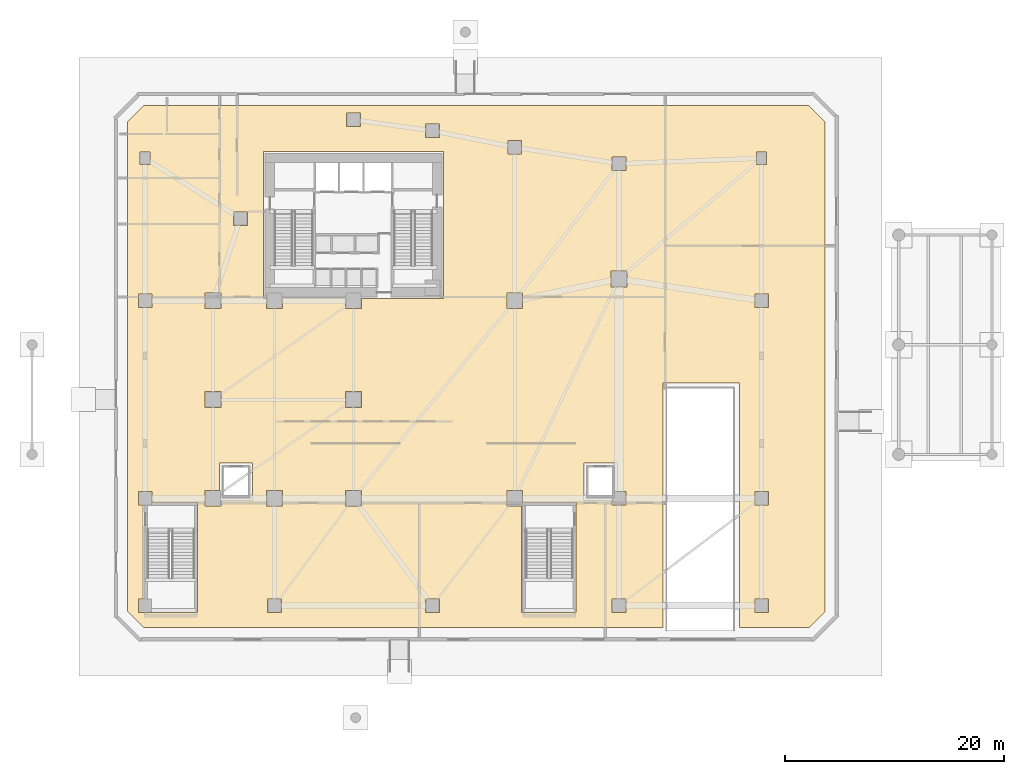
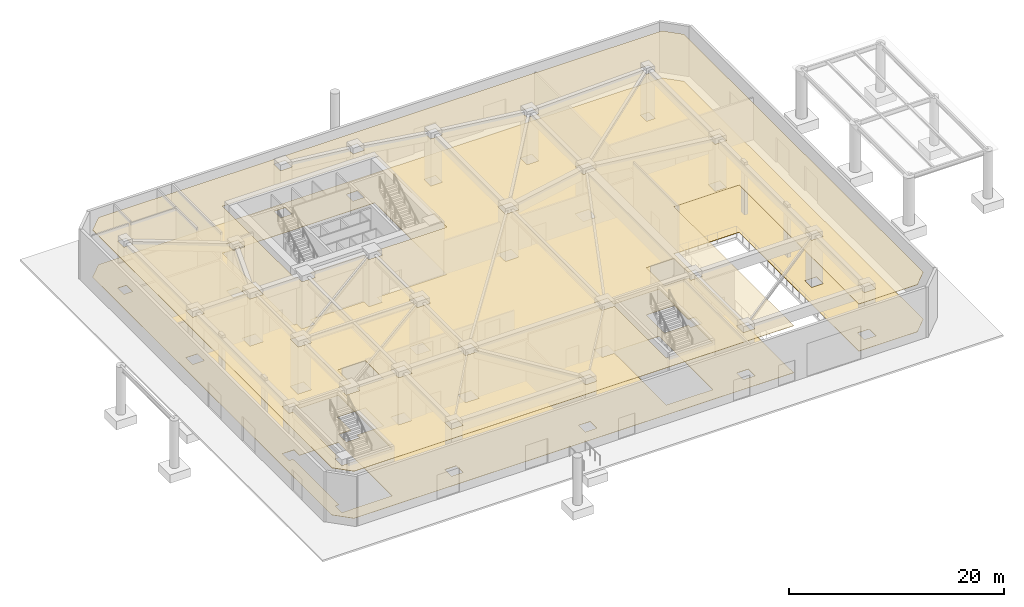
# One storey, part 10 of 13: 2 coverings.
"""IFC4 building model written with IfcOpenShell, lengths in metres."""

from ifc_helpers import new_model, si_unit, direction, frame, origin, place, context, subcontext, project, spatial, polyline, outline, extrude, material, layer, layer_set, type_object, element, save


model = new_model("IFC4")

# Units and contexts
model_context = context("Model", 3, precision=1e-05, world=origin(), true_north=direction((0.0, 1.0)))
body_context = subcontext(model_context, "Body", "Model", "MODEL_VIEW")
ifc_project = project(units=[si_unit("LENGTHUNIT", "METRE"), si_unit("AREAUNIT", "SQUARE_METRE"), si_unit("VOLUMEUNIT", "CUBIC_METRE"), si_unit("PLANEANGLEUNIT", "RADIAN"), si_unit("MASSUNIT", "GRAM", prefix="KILO")], contexts=[model_context])

# Site, building, storey
site_placement = place(None, origin())
site = spatial("IfcSite", under=ifc_project, at=site_placement, CompositionType="ELEMENT")
building_placement = place(site_placement, origin())
building = spatial("IfcBuilding", under=site, at=building_placement, Name="Calvemar Wedge Station Tower", CompositionType="ELEMENT")
storey_placement = place(building_placement, origin())
storey = spatial("IfcBuildingStorey", under=building, at=storey_placement, Name="L01", CompositionType="ELEMENT", Elevation=0.0)

# Coverings
ifc_material_1 = material(Name="Acoustic mineral fibre ceiling board")
ifc_layer_1 = layer(ifc_material_1, 0.0400390625)
ifc_layer_set_1 = layer_set([ifc_layer_1], Name="Acoustic mineral fibre ceiling board")
covering_type_1 = type_object("IfcCoveringType", Name="COV-CEIL-ACOUSTIC", PredefinedType="CEILING", material=ifc_layer_set_1)
covering_1_placement = place(storey_placement, frame((0.0, 0.0, 5.35009765625)))
element("IfcCovering", 1, at=covering_1_placement, inside=storey, type_object=covering_type_1, Name="Storey L01 Acoustic Suspended Ceiling", PredefinedType="CEILING", context=body_context, shape_type="SweptSolid", body=[
    extrude(outline(polyline([(65.302978515625, 50.800048828125), (4.697021484375, 50.800048828125), (3.199951171875, 49.302978515625), (3.199951171875, 4.697021484375), (4.697021484375, 3.199951171875), (52.0, 3.199951171875), (52.0, 25.5), (59.0, 25.5), (59.0, 3.199951171875), (65.302978515625, 3.199951171875), (66.800048828125, 4.697021484375), (66.800048828125, 49.302978515625), (65.302978515625, 50.800048828125)]), holes=[polyline([(15.60009765625, 46.60009765625), (32.0, 46.60009765625), (32.0, 33.199951171875), (24.52001953125, 33.199951171875), (24.52001953125, 32.280029296875), (23.080078125, 32.280029296875), (23.080078125, 33.199951171875), (17.320068359375, 33.199951171875), (17.320068359375, 32.280029296875), (15.8798828125, 32.280029296875), (15.8798828125, 33.199951171875), (15.60009765625, 33.199951171875), (15.60009765625, 46.60009765625)]), polyline([(4.60009765625, 14.3798828125), (4.179931640625, 14.3798828125), (4.179931640625, 15.6201171875), (5.419921875, 15.6201171875), (5.419921875, 14.60009765625), (9.60009765625, 14.60009765625), (9.60009765625, 4.60009765625), (5.419921875, 4.60009765625), (5.419921875, 4.580078125), (4.179931640625, 4.580078125), (4.179931640625, 5.820068359375), (4.60009765625, 5.820068359375), (4.60009765625, 14.3798828125)]), polyline([(39.219970703125, 14.60009765625), (44.10009765625, 14.60009765625), (44.10009765625, 4.60009765625), (39.10009765625, 4.60009765625), (39.10009765625, 14.280029296875), (37.780029296875, 14.280029296875), (37.780029296875, 15.719970703125), (39.219970703125, 15.719970703125), (39.219970703125, 14.60009765625)]), polyline([(11.719970703125, 14.280029296875), (10.280029296875, 14.280029296875), (10.280029296875, 15.719970703125), (11.60009765625, 15.719970703125), (11.60009765625, 18.199951171875), (14.60009765625, 18.199951171875), (14.60009765625, 14.800048828125), (11.719970703125, 14.800048828125), (11.719970703125, 14.280029296875)]), polyline([(44.800048828125, 14.800048828125), (44.800048828125, 18.199951171875), (47.800048828125, 18.199951171875), (47.800048828125, 15.6201171875), (48.6201171875, 15.6201171875), (48.6201171875, 14.3798828125), (47.3798828125, 14.3798828125), (47.3798828125, 14.800048828125), (44.800048828125, 14.800048828125)]), polyline([(15.97998046875, 5.820068359375), (17.219970703125, 5.820068359375), (17.219970703125, 4.580078125), (15.97998046875, 4.580078125), (15.97998046875, 5.820068359375)]), polyline([(31.6201171875, 5.820068359375), (31.6201171875, 4.580078125), (30.3798828125, 4.580078125), (30.3798828125, 5.820068359375), (31.6201171875, 5.820068359375)]), polyline([(48.6201171875, 4.580078125), (47.3798828125, 4.580078125), (47.3798828125, 5.820068359375), (48.6201171875, 5.820068359375), (48.6201171875, 4.580078125)]), polyline([(60.3798828125, 4.580078125), (60.3798828125, 5.820068359375), (61.6201171875, 5.820068359375), (61.6201171875, 4.580078125), (60.3798828125, 4.580078125)]), polyline([(17.320068359375, 14.280029296875), (15.8798828125, 14.280029296875), (15.8798828125, 15.719970703125), (17.320068359375, 15.719970703125), (17.320068359375, 14.280029296875)]), polyline([(23.080078125, 14.280029296875), (23.080078125, 15.719970703125), (24.52001953125, 15.719970703125), (24.52001953125, 14.280029296875), (23.080078125, 14.280029296875)]), polyline([(61.6201171875, 14.3798828125), (60.3798828125, 14.3798828125), (60.3798828125, 15.6201171875), (61.6201171875, 15.6201171875), (61.6201171875, 14.3798828125)]), polyline([(10.280029296875, 23.280029296875), (10.280029296875, 24.719970703125), (11.719970703125, 24.719970703125), (11.719970703125, 23.280029296875), (10.280029296875, 23.280029296875)]), polyline([(23.080078125, 24.719970703125), (24.52001953125, 24.719970703125), (24.52001953125, 23.280029296875), (23.080078125, 23.280029296875), (23.080078125, 24.719970703125)]), polyline([(5.419921875, 33.6201171875), (5.419921875, 32.3798828125), (4.179931640625, 32.3798828125), (4.179931640625, 33.6201171875), (5.419921875, 33.6201171875)]), polyline([(11.719970703125, 32.280029296875), (10.280029296875, 32.280029296875), (10.280029296875, 33.719970703125), (11.719970703125, 33.719970703125), (11.719970703125, 32.280029296875)]), polyline([(39.219970703125, 33.719970703125), (39.219970703125, 32.280029296875), (37.780029296875, 32.280029296875), (37.780029296875, 33.719970703125), (39.219970703125, 33.719970703125)]), polyline([(48.719970703125, 34.280029296875), (47.280029296875, 34.280029296875), (47.280029296875, 35.719970703125), (48.719970703125, 35.719970703125), (48.719970703125, 34.280029296875)]), polyline([(60.3798828125, 32.3798828125), (60.3798828125, 33.6201171875), (61.6201171875, 33.6201171875), (61.6201171875, 32.3798828125), (60.3798828125, 32.3798828125)]), polyline([(4.330078125, 46.570068359375), (5.27001953125, 46.570068359375), (5.27001953125, 45.429931640625), (4.330078125, 45.429931640625), (4.330078125, 46.570068359375)]), polyline([(14.1201171875, 41.1201171875), (14.1201171875, 39.8798828125), (12.8798828125, 39.8798828125), (12.8798828125, 41.1201171875), (14.1201171875, 41.1201171875)]), polyline([(24.419921875, 48.8798828125), (23.179931640625, 48.8798828125), (23.179931640625, 50.1201171875), (24.419921875, 50.1201171875), (24.419921875, 48.8798828125)]), polyline([(30.3798828125, 47.8798828125), (30.3798828125, 49.1201171875), (31.6201171875, 49.1201171875), (31.6201171875, 47.8798828125), (30.3798828125, 47.8798828125)]), polyline([(37.8798828125, 47.6201171875), (39.1201171875, 47.6201171875), (39.1201171875, 46.3798828125), (37.8798828125, 46.3798828125), (37.8798828125, 47.6201171875)]), polyline([(48.6201171875, 46.1201171875), (48.6201171875, 44.8798828125), (47.3798828125, 44.8798828125), (47.3798828125, 46.1201171875), (48.6201171875, 46.1201171875)]), polyline([(61.469970703125, 45.429931640625), (60.530029296875, 45.429931640625), (60.530029296875, 46.570068359375), (61.469970703125, 46.570068359375), (61.469970703125, 45.429931640625)])]), origin(), (0.0, 0.0, 1.0), 0.039794921875),
])
ifc_material_2 = material(Name="Commercial raised access floor")
ifc_layer_2 = layer(ifc_material_2, 0.030029296875)
ifc_layer_set_2 = layer_set([ifc_layer_2], Name="Commercial raised access floor")
covering_type_2 = type_object("IfcCoveringType", Name="COV-FLR-RAISED", PredefinedType="FLOORING", material=ifc_layer_set_2)
covering_2_placement = place(storey_placement, origin())
element("IfcCovering", 2, at=covering_2_placement, inside=storey, type_object=covering_type_2, Name="Storey L01 Architectural Floor Finish", PredefinedType="FLOORING", context=body_context, shape_type="SweptSolid", body=[
    extrude(outline(polyline([(65.302978515625, 50.800048828125), (4.697021484375, 50.800048828125), (3.199951171875, 49.302978515625), (3.199951171875, 4.697021484375), (4.697021484375, 3.199951171875), (52.0, 3.199951171875), (52.0, 25.5), (59.0, 25.5), (59.0, 3.199951171875), (65.302978515625, 3.199951171875), (66.800048828125, 4.697021484375), (66.800048828125, 49.302978515625), (65.302978515625, 50.800048828125)]), holes=[polyline([(15.60009765625, 46.60009765625), (32.0, 46.60009765625), (32.0, 33.199951171875), (24.52001953125, 33.199951171875), (24.52001953125, 32.280029296875), (23.080078125, 32.280029296875), (23.080078125, 33.199951171875), (17.320068359375, 33.199951171875), (17.320068359375, 32.280029296875), (15.8798828125, 32.280029296875), (15.8798828125, 33.199951171875), (15.60009765625, 33.199951171875), (15.60009765625, 46.60009765625)]), polyline([(4.60009765625, 14.3798828125), (4.179931640625, 14.3798828125), (4.179931640625, 15.6201171875), (5.419921875, 15.6201171875), (5.419921875, 14.60009765625), (9.60009765625, 14.60009765625), (9.60009765625, 4.60009765625), (5.419921875, 4.60009765625), (5.419921875, 4.580078125), (4.179931640625, 4.580078125), (4.179931640625, 5.820068359375), (4.60009765625, 5.820068359375), (4.60009765625, 14.3798828125)]), polyline([(39.219970703125, 14.60009765625), (44.10009765625, 14.60009765625), (44.10009765625, 4.60009765625), (39.10009765625, 4.60009765625), (39.10009765625, 14.280029296875), (37.780029296875, 14.280029296875), (37.780029296875, 15.719970703125), (39.219970703125, 15.719970703125), (39.219970703125, 14.60009765625)]), polyline([(11.719970703125, 14.280029296875), (10.280029296875, 14.280029296875), (10.280029296875, 15.719970703125), (11.60009765625, 15.719970703125), (11.60009765625, 18.199951171875), (14.60009765625, 18.199951171875), (14.60009765625, 14.800048828125), (11.719970703125, 14.800048828125), (11.719970703125, 14.280029296875)]), polyline([(44.800048828125, 14.800048828125), (44.800048828125, 18.199951171875), (47.800048828125, 18.199951171875), (47.800048828125, 15.6201171875), (48.6201171875, 15.6201171875), (48.6201171875, 14.3798828125), (47.3798828125, 14.3798828125), (47.3798828125, 14.800048828125), (44.800048828125, 14.800048828125)]), polyline([(15.97998046875, 5.820068359375), (17.219970703125, 5.820068359375), (17.219970703125, 4.580078125), (15.97998046875, 4.580078125), (15.97998046875, 5.820068359375)]), polyline([(31.6201171875, 5.820068359375), (31.6201171875, 4.580078125), (30.3798828125, 4.580078125), (30.3798828125, 5.820068359375), (31.6201171875, 5.820068359375)]), polyline([(48.6201171875, 4.580078125), (47.3798828125, 4.580078125), (47.3798828125, 5.820068359375), (48.6201171875, 5.820068359375), (48.6201171875, 4.580078125)]), polyline([(60.3798828125, 4.580078125), (60.3798828125, 5.820068359375), (61.6201171875, 5.820068359375), (61.6201171875, 4.580078125), (60.3798828125, 4.580078125)]), polyline([(17.320068359375, 14.280029296875), (15.8798828125, 14.280029296875), (15.8798828125, 15.719970703125), (17.320068359375, 15.719970703125), (17.320068359375, 14.280029296875)]), polyline([(23.080078125, 14.280029296875), (23.080078125, 15.719970703125), (24.52001953125, 15.719970703125), (24.52001953125, 14.280029296875), (23.080078125, 14.280029296875)]), polyline([(61.6201171875, 14.3798828125), (60.3798828125, 14.3798828125), (60.3798828125, 15.6201171875), (61.6201171875, 15.6201171875), (61.6201171875, 14.3798828125)]), polyline([(10.280029296875, 23.280029296875), (10.280029296875, 24.719970703125), (11.719970703125, 24.719970703125), (11.719970703125, 23.280029296875), (10.280029296875, 23.280029296875)]), polyline([(23.080078125, 24.719970703125), (24.52001953125, 24.719970703125), (24.52001953125, 23.280029296875), (23.080078125, 23.280029296875), (23.080078125, 24.719970703125)]), polyline([(5.419921875, 33.6201171875), (5.419921875, 32.3798828125), (4.179931640625, 32.3798828125), (4.179931640625, 33.6201171875), (5.419921875, 33.6201171875)]), polyline([(11.719970703125, 32.280029296875), (10.280029296875, 32.280029296875), (10.280029296875, 33.719970703125), (11.719970703125, 33.719970703125), (11.719970703125, 32.280029296875)]), polyline([(39.219970703125, 33.719970703125), (39.219970703125, 32.280029296875), (37.780029296875, 32.280029296875), (37.780029296875, 33.719970703125), (39.219970703125, 33.719970703125)]), polyline([(48.719970703125, 34.280029296875), (47.280029296875, 34.280029296875), (47.280029296875, 35.719970703125), (48.719970703125, 35.719970703125), (48.719970703125, 34.280029296875)]), polyline([(60.3798828125, 32.3798828125), (60.3798828125, 33.6201171875), (61.6201171875, 33.6201171875), (61.6201171875, 32.3798828125), (60.3798828125, 32.3798828125)]), polyline([(4.330078125, 46.570068359375), (5.27001953125, 46.570068359375), (5.27001953125, 45.429931640625), (4.330078125, 45.429931640625), (4.330078125, 46.570068359375)]), polyline([(14.1201171875, 41.1201171875), (14.1201171875, 39.8798828125), (12.8798828125, 39.8798828125), (12.8798828125, 41.1201171875), (14.1201171875, 41.1201171875)]), polyline([(24.419921875, 48.8798828125), (23.179931640625, 48.8798828125), (23.179931640625, 50.1201171875), (24.419921875, 50.1201171875), (24.419921875, 48.8798828125)]), polyline([(30.3798828125, 47.8798828125), (30.3798828125, 49.1201171875), (31.6201171875, 49.1201171875), (31.6201171875, 47.8798828125), (30.3798828125, 47.8798828125)]), polyline([(37.8798828125, 47.6201171875), (39.1201171875, 47.6201171875), (39.1201171875, 46.3798828125), (37.8798828125, 46.3798828125), (37.8798828125, 47.6201171875)]), polyline([(48.6201171875, 46.1201171875), (48.6201171875, 44.8798828125), (47.3798828125, 44.8798828125), (47.3798828125, 46.1201171875), (48.6201171875, 46.1201171875)]), polyline([(61.469970703125, 45.429931640625), (60.530029296875, 45.429931640625), (60.530029296875, 46.570068359375), (61.469970703125, 46.570068359375), (61.469970703125, 45.429931640625)])]), origin(), (0.0, 0.0, 1.0), 0.030029296875),
])

save(model, "model.ifc")
